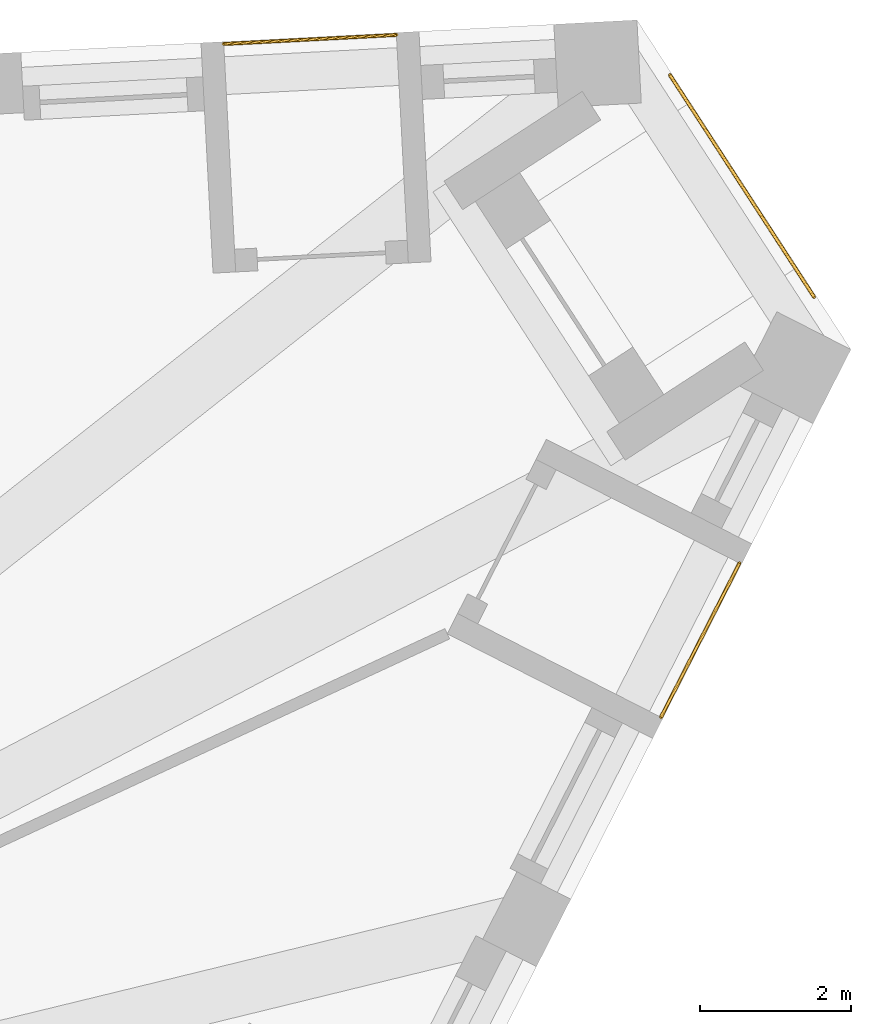
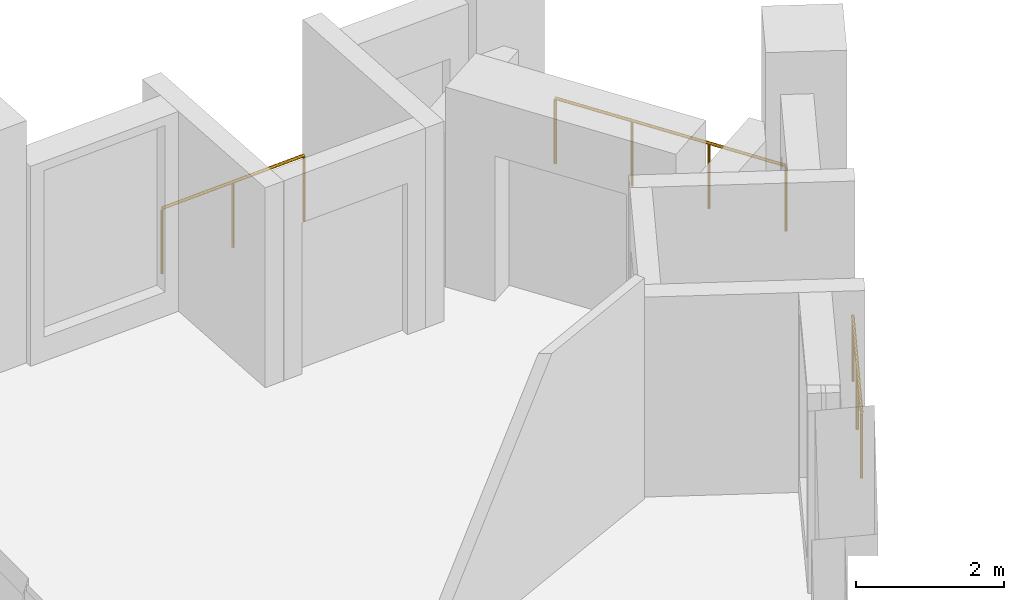
# One storey, part 13 of 13: 3 railings.
"""IFC4 building model written with IfcOpenShell, lengths in metres."""

from ifc_helpers import new_model, si_unit, direction, frame, origin, origin_2d, place, context, subcontext, project, spatial, circle, extrude, material, type_object, element, save


model = new_model("IFC4")

# Units and contexts
model_context = context("Model", 3, precision=1e-05, world=origin(), true_north=direction((0.0, 1.0)))
body_context = subcontext(model_context, "Body", "Model", "MODEL_VIEW")
ifc_project = project(units=[si_unit("LENGTHUNIT", "METRE"), si_unit("AREAUNIT", "SQUARE_METRE"), si_unit("VOLUMEUNIT", "CUBIC_METRE"), si_unit("PLANEANGLEUNIT", "RADIAN"), si_unit("MASSUNIT", "GRAM", prefix="KILO")], contexts=[model_context])

# Site, building, storey
site_placement = place(None, origin())
site = spatial("IfcSite", under=ifc_project, at=site_placement, CompositionType="ELEMENT")
building_placement = place(site_placement, origin())
building = spatial("IfcBuilding", under=site, at=building_placement, Name="Tramontana Tower", CompositionType="ELEMENT")
storey_placement = place(building_placement, frame((0.0, 0.0, 286.39990234375)))
storey = spatial("IfcBuildingStorey", under=building, at=storey_placement, Name="L67", CompositionType="ELEMENT", Elevation=286.39990234375)

# Railings
ifc_material = material(Name="Laminated glass balustrade", Category="glass")
railing_type = type_object("IfcRailingType", Name="GD1 Loggia glass balustrade 1100", PredefinedType="BALUSTRADE", material=ifc_material)
railing_1_placement = place(storey_placement, frame((21.128173828125, 7.390625, 0.0)))
element("IfcRailing", 1, at=railing_1_placement, inside=storey, type_object=railing_type, Name="Loggia balustrade L67 G7S1.13", PredefinedType="BALUSTRADE", context=body_context, shape_type="SweptSolid", body=[
    extrude(circle(Radius=0.02392578125, at=origin_2d()), frame((0.0, 0.0, 1.076171875), z_axis=(0.453948171533, 0.89102809022, 0.0), x_axis=(-0.89102809022, 0.453948171533, 0.0)), (0.0, 0.0, 1.0), 2.286865234375),
    extrude(circle(Radius=0.02099609375, at=origin_2d()), origin(), (0.0, 0.0, 1.0), 1.052001953125),
    extrude(circle(Radius=0.02099609375, at=origin_2d()), frame((0.51904296875, 1.018798828125, 0.0)), (0.0, 0.0, 1.0), 1.052001953125),
    extrude(circle(Radius=0.02099609375, at=origin_2d()), frame((1.0380859375, 2.03759765625, 0.0)), (0.0, 0.0, 1.0), 1.052001953125),
])
railing_2_placement = place(storey_placement, frame((17.62890625, 16.4150390625, 0.0)))
element("IfcRailing", 2, at=railing_2_placement, inside=storey, type_object=railing_type, Name="Loggia balustrade L67 G7S2.1", PredefinedType="BALUSTRADE", context=body_context, shape_type="SweptSolid", body=[
    extrude(circle(Radius=0.02392578125, at=origin_2d()), frame((0.0, 0.0, 1.076171875), z_axis=(-0.998630775221, -0.052312281362, 0.0), x_axis=(0.052312281362, -0.998630775221, 0.0)), (0.0, 0.0, 1.0), 2.286865234375),
    extrude(circle(Radius=0.02099609375, at=origin_2d()), origin(), (0.0, 0.0, 1.0), 1.052001953125),
    extrude(circle(Radius=0.02099609375, at=origin_2d()), frame((-1.141845703125, -0.059814453125, 0.0)), (0.0, 0.0, 1.0), 1.052001953125),
    extrude(circle(Radius=0.02099609375, at=origin_2d()), frame((-2.28369140625, -0.11962890625, 0.0)), (0.0, 0.0, 1.0), 1.052001953125),
])
railing_3_placement = place(storey_placement, frame((21.24658203125, 15.88427734375, 0.0)))
element("IfcRailing", 3, at=railing_3_placement, inside=storey, type_object=railing_type, Name="Corner loggia balustrade L67 K72", PredefinedType="BALUSTRADE", context=body_context, shape_type="SweptSolid", body=[
    extrude(circle(Radius=0.02392578125, at=origin_2d()), frame((0.0, 0.0, 1.076171875), z_axis=(0.544647498784, -0.838665071449, 0.0), x_axis=(0.838665071449, 0.544647498784, 0.0)), (0.0, 0.0, 1.0), 3.5),
    extrude(circle(Radius=0.02099609375, at=origin_2d()), origin(), (0.0, 0.0, 1.0), 1.052001953125),
    extrude(circle(Radius=0.02099609375, at=origin_2d()), frame((0.635498046875, -0.978515625, 0.0)), (0.0, 0.0, 1.0), 1.052001953125),
    extrude(circle(Radius=0.02099609375, at=origin_2d()), frame((1.270751953125, -1.956787109375, 0.0)), (0.0, 0.0, 1.0), 1.052001953125),
    extrude(circle(Radius=0.02099609375, at=origin_2d()), frame((1.90625, -2.935302734375, 0.0)), (0.0, 0.0, 1.0), 1.052001953125),
])

save(model, "model.ifc")
